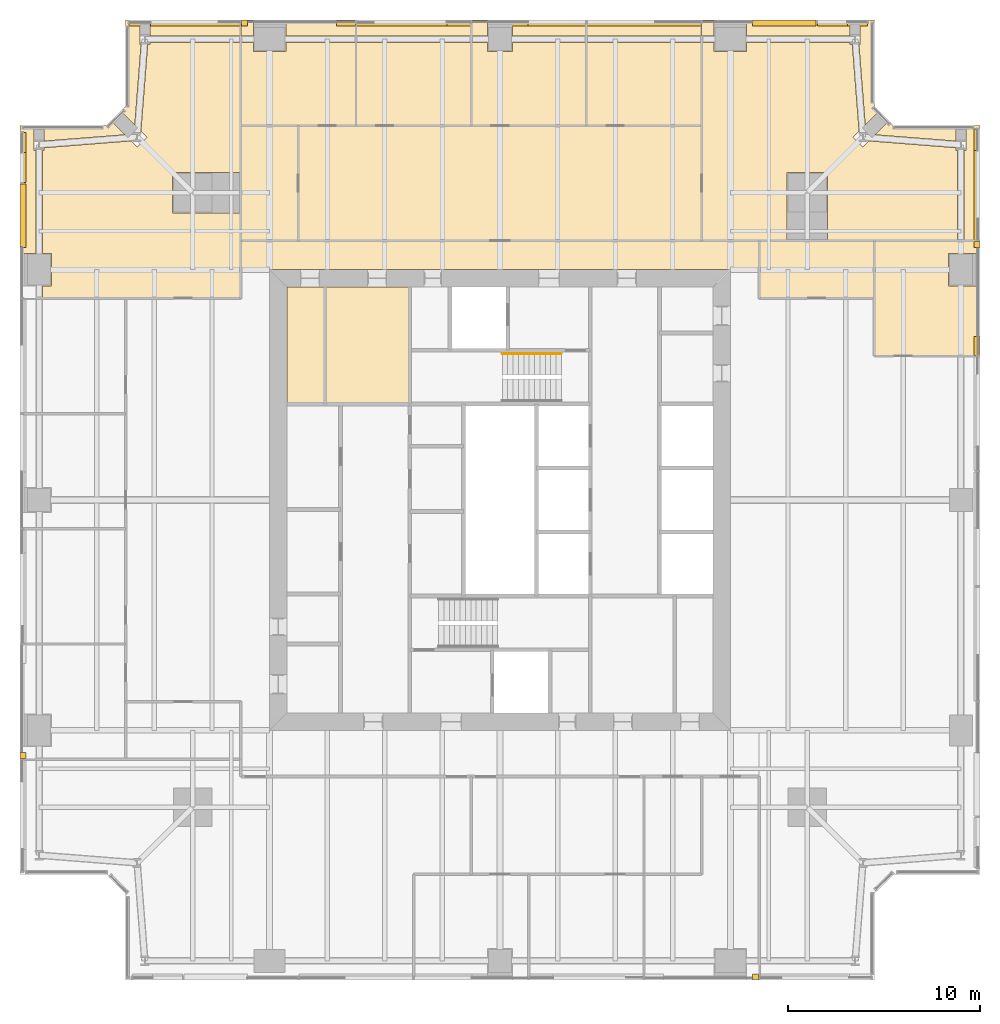
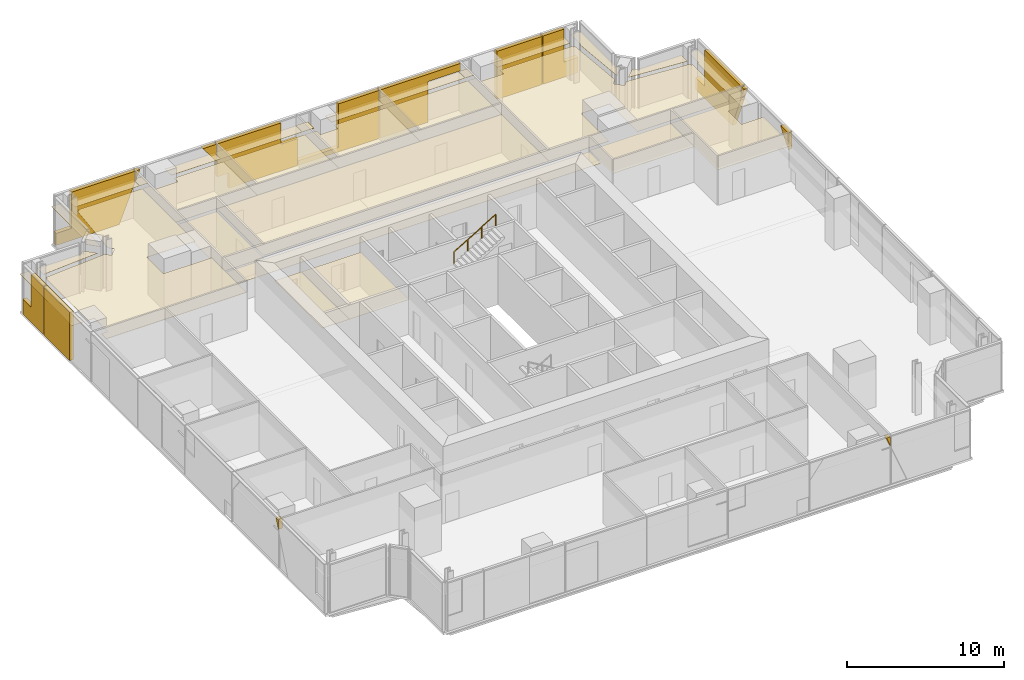
# One storey, part 14 of 14: 43 coverings, 1 railing.
"""IFC4 building model written with IfcOpenShell, lengths in metres."""

from ifc_helpers import new_model, si_unit, direction, frame, origin, origin_2d, place, context, subcontext, project, spatial, polyline, circle, outline, extrude, material, layer, layer_set, type_object, element, save


model = new_model("IFC4")

# Units and contexts
model_context = context("Model", 3, precision=1e-05, world=origin(), true_north=direction((0.0, 1.0)))
body_context = subcontext(model_context, "Body", "Model", "MODEL_VIEW")
ifc_project = project(units=[si_unit("LENGTHUNIT", "METRE"), si_unit("AREAUNIT", "SQUARE_METRE"), si_unit("VOLUMEUNIT", "CUBIC_METRE"), si_unit("PLANEANGLEUNIT", "RADIAN"), si_unit("MASSUNIT", "GRAM", prefix="KILO")], contexts=[model_context])

# Site, building, storey
site_placement = place(None, origin())
site = spatial("IfcSite", under=ifc_project, at=site_placement, CompositionType="ELEMENT")
building_placement = place(site_placement, origin())
building = spatial("IfcBuilding", under=site, at=building_placement, Name="Fenwick Lantern Interchange", CompositionType="ELEMENT")
storey_placement = place(building_placement, frame((0.0, 0.0, 189.800048828125)))
storey = spatial("IfcBuildingStorey", under=building, at=storey_placement, Name="L44", CompositionType="ELEMENT", Elevation=189.800048828125)

# Coverings
ifc_material_1 = material(Name="Mineral fibre acoustic tile on suspended grid")
ifc_layer_1 = layer(ifc_material_1, 0.02001953125)
ifc_layer_set_1 = layer_set([ifc_layer_1], Name="ACOUSTIC TILE CEILING 20")
covering_type_1 = type_object("IfcCoveringType", Name="ACOUSTIC TILE CEILING 20", PredefinedType="CEILING", material=ifc_layer_set_1)
covering_1_placement = place(storey_placement, frame((0.0, 0.0, 2.699951171875)))
element("IfcCovering", 1, at=covering_1_placement, inside=storey, type_object=covering_type_1, Name="Quiet room ceiling", PredefinedType="CEILING", context=body_context, shape_type="SweptSolid", body=[
    extrude(outline(polyline([(50.0, 32.5), (50.0, 36.14990234375), (48.35009765625, 36.14990234375), (48.35009765625, 37.85009765625), (50.0, 37.85009765625), (50.0, 38.5), (44.5, 38.5), (44.5, 32.5), (50.0, 32.5)])), origin(), (0.0, 0.0, 1.0), 0.02001953125),
])
covering_2_placement = place(storey_placement, frame((0.0, 0.0, 2.89990234375)))
element("IfcCovering", 2, at=covering_2_placement, inside=storey, type_object=covering_type_1, Name="Open office ceiling", PredefinedType="CEILING", context=body_context, shape_type="SweptSolid", body=[
    extrude(outline(polyline([(35.5, 38.5), (35.5, 44.5), (14.5, 44.5), (14.5, 38.5), (35.5, 38.5)])), origin(), (0.0, 0.0, 1.0), 0.02001953125),
])
covering_3_placement = place(storey_placement, frame((0.0, 0.0, 2.89990234375)))
element("IfcCovering", 3, at=covering_3_placement, inside=storey, type_object=covering_type_1, Name="Office ceiling", PredefinedType="CEILING", context=body_context, shape_type="SweptSolid", body=[
    extrude(outline(polyline([(42.050048828125, 38.5), (48.82763671875, 38.5), (48.82763671875, 43.21240234375), (48.73779296875, 43.21240234375), (48.73779296875, 43.34765625), (44.22216796875, 43.701904296875), (43.89990234375, 43.379638671875), (43.379638671875, 43.89990234375), (43.701904296875, 44.22216796875), (43.349609375, 48.71240234375), (43.23779296875, 48.71240234375), (43.23779296875, 48.82763671875), (37.85009765625, 48.82763671875), (37.85009765625, 48.35009765625), (36.14990234375, 48.35009765625), (36.14990234375, 48.82763671875), (35.5, 48.82763671875), (35.5, 38.5), (39.949951171875, 38.5), (39.949951171875, 42.050048828125), (42.050048828125, 42.050048828125), (42.050048828125, 38.5)])), origin(), (0.0, 0.0, 1.0), 0.02001953125),
])
covering_4_placement = place(storey_placement, frame((0.0, 0.0, 2.89990234375)))
element("IfcCovering", 4, at=covering_4_placement, inside=storey, type_object=covering_type_1, Name="Office ceiling", PredefinedType="CEILING", context=body_context, shape_type="SweptSolid", body=[
    extrude(outline(polyline([(49.26220703125, 44.5), (49.26220703125, 43.21240234375), (49.17236328125, 43.21240234375), (49.17236328125, 38.5), (50.0, 38.5), (50.0, 44.5), (49.26220703125, 44.5)])), origin(), (0.0, 0.0, 1.0), 0.02001953125),
])
covering_5_placement = place(storey_placement, frame((0.0, 0.0, 2.89990234375)))
element("IfcCovering", 5, at=covering_5_placement, inside=storey, type_object=covering_type_1, Name="Office ceiling", PredefinedType="CEILING", context=body_context, shape_type="SweptSolid", body=[
    extrude(outline(polyline([(37.85009765625, 50.0), (37.85009765625, 49.17236328125), (43.23779296875, 49.17236328125), (43.23779296875, 50.0), (37.85009765625, 50.0)])), origin(), (0.0, 0.0, 1.0), 0.02001953125),
])
covering_6_placement = place(storey_placement, frame((0.0, 0.0, 2.89990234375)))
element("IfcCovering", 6, at=covering_6_placement, inside=storey, type_object=covering_type_1, Name="Office ceiling", PredefinedType="CEILING", context=body_context, shape_type="SweptSolid", body=[
    extrude(outline(polyline([(43.76220703125, 48.71240234375), (43.695556640625, 48.71240234375), (44.0224609375, 44.542724609375), (44.73974609375, 45.26025390625), (44.5, 45.5), (44.5, 50.0), (43.76220703125, 50.0), (43.76220703125, 48.71240234375)])), origin(), (0.0, 0.0, 1.0), 0.02001953125),
])
covering_7_placement = place(storey_placement, frame((0.0, 0.0, 2.89990234375)))
element("IfcCovering", 7, at=covering_7_placement, inside=storey, type_object=covering_type_1, Name="Office ceiling", PredefinedType="CEILING", context=body_context, shape_type="SweptSolid", body=[
    extrude(outline(polyline([(45.26025390625, 44.73974609375), (44.542724609375, 44.0224609375), (48.73779296875, 43.693603515625), (48.73779296875, 44.5), (45.5, 44.5), (45.26025390625, 44.73974609375)])), origin(), (0.0, 0.0, 1.0), 0.02001953125),
])
covering_8_placement = place(storey_placement, frame((0.0, 0.0, 2.89990234375)))
element("IfcCovering", 8, at=covering_8_placement, inside=storey, type_object=covering_type_1, Name="Office ceiling", PredefinedType="CEILING", context=body_context, shape_type="SweptSolid", body=[
    extrude(outline(polyline([(35.5, 50.0), (35.5, 49.17236328125), (36.14990234375, 49.17236328125), (36.14990234375, 50.0), (35.5, 50.0)])), origin(), (0.0, 0.0, 1.0), 0.02001953125),
])
covering_9_placement = place(storey_placement, frame((0.0, 0.0, 2.89990234375)))
element("IfcCovering", 9, at=covering_9_placement, inside=storey, type_object=covering_type_1, Name="Office ceiling", PredefinedType="CEILING", context=body_context, shape_type="SweptSolid", body=[
    extrude(outline(polyline([(35.5, 44.5), (35.5, 48.82763671875), (29.5, 48.82763671875), (29.5, 44.5), (35.5, 44.5)])), origin(), (0.0, 0.0, 1.0), 0.02001953125),
])
covering_10_placement = place(storey_placement, frame((0.0, 0.0, 2.89990234375)))
element("IfcCovering", 10, at=covering_10_placement, inside=storey, type_object=covering_type_1, Name="Office ceiling", PredefinedType="CEILING", context=body_context, shape_type="SweptSolid", body=[
    extrude(outline(polyline([(29.5, 50.0), (29.5, 49.17236328125), (35.5, 49.17236328125), (35.5, 50.0), (29.5, 50.0)])), origin(), (0.0, 0.0, 1.0), 0.02001953125),
])
covering_11_placement = place(storey_placement, frame((0.0, 0.0, 2.89990234375)))
element("IfcCovering", 11, at=covering_11_placement, inside=storey, type_object=covering_type_1, Name="Office ceiling", PredefinedType="CEILING", context=body_context, shape_type="SweptSolid", body=[
    extrude(outline(polyline([(29.5, 44.5), (29.5, 48.82763671875), (25.64990234375, 48.82763671875), (25.64990234375, 48.35009765625), (24.35009765625, 48.35009765625), (24.35009765625, 48.82763671875), (23.5, 48.82763671875), (23.5, 44.5), (29.5, 44.5)])), origin(), (0.0, 0.0, 1.0), 0.02001953125),
])
covering_12_placement = place(storey_placement, frame((0.0, 0.0, 2.89990234375)))
element("IfcCovering", 12, at=covering_12_placement, inside=storey, type_object=covering_type_1, Name="Office ceiling", PredefinedType="CEILING", context=body_context, shape_type="SweptSolid", body=[
    extrude(outline(polyline([(29.5, 49.17236328125), (29.5, 50.0), (25.64990234375, 50.0), (25.64990234375, 49.17236328125), (29.5, 49.17236328125)])), origin(), (0.0, 0.0, 1.0), 0.02001953125),
])
covering_13_placement = place(storey_placement, frame((0.0, 0.0, 2.89990234375)))
element("IfcCovering", 13, at=covering_13_placement, inside=storey, type_object=covering_type_1, Name="Office ceiling", PredefinedType="CEILING", context=body_context, shape_type="SweptSolid", body=[
    extrude(outline(polyline([(23.5, 50.0), (23.5, 49.17236328125), (24.35009765625, 49.17236328125), (24.35009765625, 50.0), (23.5, 50.0)])), origin(), (0.0, 0.0, 1.0), 0.02001953125),
])
covering_14_placement = place(storey_placement, frame((0.0, 0.0, 2.89990234375)))
element("IfcCovering", 14, at=covering_14_placement, inside=storey, type_object=covering_type_1, Name="Office ceiling", PredefinedType="CEILING", context=body_context, shape_type="SweptSolid", body=[
    extrude(outline(polyline([(23.5, 44.5), (23.5, 48.82763671875), (17.5, 48.82763671875), (17.5, 44.5), (23.5, 44.5)])), origin(), (0.0, 0.0, 1.0), 0.02001953125),
])
covering_15_placement = place(storey_placement, frame((0.0, 0.0, 2.89990234375)))
element("IfcCovering", 15, at=covering_15_placement, inside=storey, type_object=covering_type_1, Name="Office ceiling", PredefinedType="CEILING", context=body_context, shape_type="SweptSolid", body=[
    extrude(outline(polyline([(17.5, 50.0), (17.5, 49.17236328125), (23.5, 49.17236328125), (23.5, 50.0), (17.5, 50.0)])), origin(), (0.0, 0.0, 1.0), 0.02001953125),
])
covering_16_placement = place(storey_placement, frame((0.0, 0.0, 2.89990234375)))
element("IfcCovering", 16, at=covering_16_placement, inside=storey, type_object=covering_type_1, Name="Office ceiling", PredefinedType="CEILING", context=body_context, shape_type="SweptSolid", body=[
    extrude(outline(polyline([(17.5, 44.5), (17.5, 48.82763671875), (13.85009765625, 48.82763671875), (13.85009765625, 48.35009765625), (12.14990234375, 48.35009765625), (12.14990234375, 48.82763671875), (11.5, 48.82763671875), (11.5, 44.5), (17.5, 44.5)])), origin(), (0.0, 0.0, 1.0), 0.02001953125),
])
covering_17_placement = place(storey_placement, frame((0.0, 0.0, 2.89990234375)))
element("IfcCovering", 17, at=covering_17_placement, inside=storey, type_object=covering_type_1, Name="Office ceiling", PredefinedType="CEILING", context=body_context, shape_type="SweptSolid", body=[
    extrude(outline(polyline([(17.5, 49.17236328125), (17.5, 50.0), (13.85009765625, 50.0), (13.85009765625, 49.17236328125), (17.5, 49.17236328125)])), origin(), (0.0, 0.0, 1.0), 0.02001953125),
])
covering_18_placement = place(storey_placement, frame((0.0, 0.0, 2.89990234375)))
element("IfcCovering", 18, at=covering_18_placement, inside=storey, type_object=covering_type_1, Name="Office ceiling", PredefinedType="CEILING", context=body_context, shape_type="SweptSolid", body=[
    extrude(outline(polyline([(11.5, 50.0), (11.5, 49.17236328125), (12.14990234375, 49.17236328125), (12.14990234375, 50.0), (11.5, 50.0)])), origin(), (0.0, 0.0, 1.0), 0.02001953125),
])
covering_19_placement = place(storey_placement, frame((0.0, 0.0, 2.89990234375)))
element("IfcCovering", 19, at=covering_19_placement, inside=storey, type_object=covering_type_1, Name="Office ceiling", PredefinedType="CEILING", context=body_context, shape_type="SweptSolid", body=[
    extrude(outline(polyline([(6.76220703125, 48.71240234375), (6.650390625, 48.71240234375), (6.298095703125, 44.22216796875), (6.620361328125, 43.89990234375), (6.10009765625, 43.379638671875), (5.77783203125, 43.701904296875), (1.26220703125, 43.34765625), (1.26220703125, 43.21240234375), (1.17236328125, 43.21240234375), (1.17236328125, 37.85009765625), (1.64990234375, 37.85009765625), (1.64990234375, 36.14990234375), (1.17236328125, 36.14990234375), (1.17236328125, 35.5), (11.5, 35.5), (11.5, 39.949951171875), (7.949951171875, 39.949951171875), (7.949951171875, 42.050048828125), (11.5, 42.050048828125), (11.5, 48.82763671875), (6.76220703125, 48.82763671875), (6.76220703125, 48.71240234375)])), origin(), (0.0, 0.0, 1.0), 0.02001953125),
])
covering_20_placement = place(storey_placement, frame((0.0, 0.0, 2.89990234375)))
element("IfcCovering", 20, at=covering_20_placement, inside=storey, type_object=covering_type_1, Name="Office ceiling", PredefinedType="CEILING", context=body_context, shape_type="SweptSolid", body=[
    extrude(outline(polyline([(0.0, 37.85009765625), (0.82763671875, 37.85009765625), (0.82763671875, 43.21240234375), (0.73779296875, 43.21240234375), (0.73779296875, 44.5), (0.0, 44.5), (0.0, 37.85009765625)])), origin(), (0.0, 0.0, 1.0), 0.02001953125),
])
covering_21_placement = place(storey_placement, frame((0.0, 0.0, 2.89990234375)))
element("IfcCovering", 21, at=covering_21_placement, inside=storey, type_object=covering_type_1, Name="Office ceiling", PredefinedType="CEILING", context=body_context, shape_type="SweptSolid", body=[
    extrude(outline(polyline([(6.76220703125, 50.0), (6.76220703125, 49.17236328125), (11.5, 49.17236328125), (11.5, 50.0), (6.76220703125, 50.0)])), origin(), (0.0, 0.0, 1.0), 0.02001953125),
])
covering_22_placement = place(storey_placement, frame((0.0, 0.0, 2.89990234375)))
element("IfcCovering", 22, at=covering_22_placement, inside=storey, type_object=covering_type_1, Name="Office ceiling", PredefinedType="CEILING", context=body_context, shape_type="SweptSolid", body=[
    extrude(outline(polyline([(6.304443359375, 48.71240234375), (6.23779296875, 48.71240234375), (6.23779296875, 50.0), (5.5, 50.0), (5.5, 45.5), (5.26025390625, 45.26025390625), (5.9775390625, 44.542724609375), (6.304443359375, 48.71240234375)])), origin(), (0.0, 0.0, 1.0), 0.02001953125),
])
covering_23_placement = place(storey_placement, frame((0.0, 0.0, 2.89990234375)))
element("IfcCovering", 23, at=covering_23_placement, inside=storey, type_object=covering_type_1, Name="Office ceiling", PredefinedType="CEILING", context=body_context, shape_type="SweptSolid", body=[
    extrude(outline(polyline([(1.26220703125, 44.5), (1.26220703125, 43.693603515625), (5.457275390625, 44.0224609375), (4.73974609375, 44.73974609375), (4.5, 44.5), (1.26220703125, 44.5)])), origin(), (0.0, 0.0, 1.0), 0.02001953125),
])
ifc_material_2 = material(Name="Granite cladding, warm grey flamed finish, on aluminium carrier frame", Category="masonry")
ifc_layer_2 = layer(ifc_material_2, 0.300048828125)
ifc_layer_set_2 = layer_set([ifc_layer_2], Name="BRACE CASING PANEL 300")
covering_type_2 = type_object("IfcCoveringType", Name="BRACE CASING PANEL 300", PredefinedType="CLADDING", material=ifc_layer_set_2)
covering_24_placement = place(storey_placement, frame((5.60009765625, 0.10009765625, 2.999267578125), z_axis=(0.0, 0.0, 1.0), x_axis=(1.0, 0.0, 0.0)))
element("IfcCovering", 24, at=covering_24_placement, inside=storey, type_object=covering_type_2, Name="Brace casing 01 bay 05b", PredefinedType="CLADDING", context=body_context, shape_type="SweptSolid", body=[
    extrude(outline(polyline([(32.867431640625, 0.0), (32.867431640625, 0.750732421875), (32.5625, 0.750732421875), (32.867431640625, 0.0)])), frame((0.0, 0.2001953125, 0.0), z_axis=(0.0, -1.0, 0.0), x_axis=(1.0, 0.0, 0.0)), (0.0, 0.0, 1.0), 0.300048828125),
])
covering_25_placement = place(storey_placement, frame((49.89990234375, 5.60009765625, 2.437255859375), z_axis=(0.0, 0.0, 1.0), x_axis=(0.0, 1.0, 0.0)))
element("IfcCovering", 25, at=covering_25_placement, inside=storey, type_object=covering_type_2, Name="Brace casing 05 bay 05a", PredefinedType="CLADDING", context=body_context, shape_type="SweptSolid", body=[
    extrude(outline(polyline([(26.9326171875, 0.0), (27.9169921875, 1.312744140625), (26.9326171875, 1.312744140625), (26.9326171875, 0.0)])), frame((0.0, 0.2001953125, 0.0), z_axis=(0.0, -1.0, 0.0), x_axis=(1.0, 0.0, 0.0)), (0.0, 0.0, 1.0), 0.300048828125),
])
covering_26_placement = place(storey_placement, frame((49.89990234375, 5.60009765625, 2.999267578125), z_axis=(0.0, 0.0, 1.0), x_axis=(0.0, 1.0, 0.0)))
element("IfcCovering", 26, at=covering_26_placement, inside=storey, type_object=covering_type_2, Name="Brace casing 05 bay 05b", PredefinedType="CLADDING", context=body_context, shape_type="SweptSolid", body=[
    extrude(outline(polyline([(32.867431640625, 0.0), (32.867431640625, 0.750732421875), (32.5625, 0.750732421875), (32.867431640625, 0.0)])), frame((0.0, 0.2001953125, 0.0), z_axis=(0.0, -1.0, 0.0), x_axis=(1.0, 0.0, 0.0)), (0.0, 0.0, 1.0), 0.300048828125),
])
covering_27_placement = place(storey_placement, frame((49.89990234375, 5.60009765625, 0.0), z_axis=(0.0, 0.0, 1.0), x_axis=(0.0, 1.0, 0.0)))
element("IfcCovering", 27, at=covering_27_placement, inside=storey, type_object=covering_type_2, Name="Brace casing 05 bay 06a", PredefinedType="CLADDING", context=body_context, shape_type="SweptSolid", body=[
    extrude(outline(polyline([(34.0859375, 0.0), (38.735107421875, 0.0), (38.735107421875, 0.931396484375), (37.59326171875, 0.931396484375), (37.59326171875, 3.75), (32.9326171875, 3.75), (32.9326171875, 2.839111328125), (34.0859375, 0.0)])), frame((0.0, 0.2001953125, 0.0), z_axis=(0.0, -1.0, 0.0), x_axis=(1.0, 0.0, 0.0)), (0.0, 0.0, 1.0), 0.300048828125),
])
covering_28_placement = place(storey_placement, frame((44.39990234375, 49.89990234375, 0.0), z_axis=(0.0, 0.0, 1.0), x_axis=(-1.0, 0.0, 0.0)))
element("IfcCovering", 28, at=covering_28_placement, inside=storey, type_object=covering_type_2, Name="Brace casing 09 bay 00a", PredefinedType="CLADDING", context=body_context, shape_type="SweptSolid", body=[
    extrude(outline(polyline([(0.264892578125, 0.0), (2.867431640625, 0.0), (2.867431640625, 3.75), (1.31005859375, 3.75), (1.31005859375, 1.185546875), (0.264892578125, 1.185546875), (0.264892578125, 0.0)])), frame((0.0, 0.2001953125, 0.0), z_axis=(0.0, -1.0, 0.0), x_axis=(1.0, 0.0, 0.0)), (0.0, 0.0, 1.0), 0.300048828125),
])
covering_29_placement = place(storey_placement, frame((44.39990234375, 49.89990234375, 0.0), z_axis=(0.0, 0.0, 1.0), x_axis=(-1.0, 0.0, 0.0)))
element("IfcCovering", 29, at=covering_29_placement, inside=storey, type_object=covering_type_2, Name="Brace casing 09 bay 01a", PredefinedType="CLADDING", context=body_context, shape_type="SweptSolid", body=[
    extrude(outline(polyline([(2.9326171875, 0.0), (6.239013671875, 0.0), (6.239013671875, 3.75), (2.9326171875, 3.75), (2.9326171875, 0.0)])), frame((0.0, 0.2001953125, 0.0), z_axis=(0.0, -1.0, 0.0), x_axis=(1.0, 0.0, 0.0)), (0.0, 0.0, 1.0), 0.300048828125),
])
covering_30_placement = place(storey_placement, frame((44.39990234375, 49.89990234375, 0.0), z_axis=(0.0, 0.0, 1.0), x_axis=(-1.0, 0.0, 0.0)))
element("IfcCovering", 30, at=covering_30_placement, inside=storey, type_object=covering_type_2, Name="Brace casing 09 bay 02a", PredefinedType="CLADDING", context=body_context, shape_type="SweptSolid", body=[
    extrude(outline(polyline([(11.3125, 0.0), (14.867431640625, 0.0), (14.867431640625, 3.75), (8.9326171875, 3.75), (8.9326171875, 3.17724609375), (11.3125, 3.17724609375), (11.3125, 0.0)])), frame((0.0, 0.2001953125, 0.0), z_axis=(0.0, -1.0, 0.0), x_axis=(1.0, 0.0, 0.0)), (0.0, 0.0, 1.0), 0.300048828125),
])
covering_31_placement = place(storey_placement, frame((44.39990234375, 49.89990234375, 0.0), z_axis=(0.0, 0.0, 1.0), x_axis=(-1.0, 0.0, 0.0)))
element("IfcCovering", 31, at=covering_31_placement, inside=storey, type_object=covering_type_2, Name="Brace casing 09 bay 03a", PredefinedType="CLADDING", context=body_context, shape_type="SweptSolid", body=[
    extrude(outline(polyline([(14.9326171875, 0.0), (20.867431640625, 0.0), (20.867431640625, 0.3505859375), (17.93310546875, 0.3505859375), (17.93310546875, 3.75), (14.9326171875, 3.75), (14.9326171875, 0.0)])), frame((0.0, 0.2001953125, 0.0), z_axis=(0.0, -1.0, 0.0), x_axis=(1.0, 0.0, 0.0)), (0.0, 0.0, 1.0), 0.300048828125),
])
covering_32_placement = place(storey_placement, frame((44.39990234375, 49.89990234375, 0.0), z_axis=(0.0, 0.0, 1.0), x_axis=(-1.0, 0.0, 0.0)))
element("IfcCovering", 32, at=covering_32_placement, inside=storey, type_object=covering_type_2, Name="Brace casing 09 bay 04a", PredefinedType="CLADDING", context=body_context, shape_type="SweptSolid", body=[
    extrude(outline(polyline([(20.9326171875, 0.0), (25.984375, 0.0), (25.984375, 1.17333984375), (26.867431640625, 1.17333984375), (26.867431640625, 3.75), (22.172607421875, 3.75), (22.172607421875, 2.090576171875), (20.9326171875, 2.090576171875), (20.9326171875, 0.0)])), frame((0.0, 0.2001953125, 0.0), z_axis=(0.0, -1.0, 0.0), x_axis=(1.0, 0.0, 0.0)), (0.0, 0.0, 1.0), 0.300048828125),
])
covering_33_placement = place(storey_placement, frame((44.39990234375, 49.89990234375, 2.437255859375), z_axis=(0.0, 0.0, 1.0), x_axis=(-1.0, 0.0, 0.0)))
element("IfcCovering", 33, at=covering_33_placement, inside=storey, type_object=covering_type_2, Name="Brace casing 09 bay 05a", PredefinedType="CLADDING", context=body_context, shape_type="SweptSolid", body=[
    extrude(outline(polyline([(26.9326171875, 0.0), (27.9169921875, 1.312744140625), (26.9326171875, 1.312744140625), (26.9326171875, 0.0)])), frame((0.0, 0.2001953125, 0.0), z_axis=(0.0, -1.0, 0.0), x_axis=(1.0, 0.0, 0.0)), (0.0, 0.0, 1.0), 0.300048828125),
])
covering_34_placement = place(storey_placement, frame((44.39990234375, 49.89990234375, 2.999267578125), z_axis=(0.0, 0.0, 1.0), x_axis=(-1.0, 0.0, 0.0)))
element("IfcCovering", 34, at=covering_34_placement, inside=storey, type_object=covering_type_2, Name="Brace casing 09 bay 05b", PredefinedType="CLADDING", context=body_context, shape_type="SweptSolid", body=[
    extrude(outline(polyline([(32.867431640625, 0.0), (32.867431640625, 0.750732421875), (32.5625, 0.750732421875), (32.867431640625, 0.0)])), frame((0.0, 0.2001953125, 0.0), z_axis=(0.0, -1.0, 0.0), x_axis=(1.0, 0.0, 0.0)), (0.0, 0.0, 1.0), 0.300048828125),
])
covering_35_placement = place(storey_placement, frame((44.39990234375, 49.89990234375, 0.0), z_axis=(0.0, 0.0, 1.0), x_axis=(-1.0, 0.0, 0.0)))
element("IfcCovering", 35, at=covering_35_placement, inside=storey, type_object=covering_type_2, Name="Brace casing 09 bay 06a", PredefinedType="CLADDING", context=body_context, shape_type="SweptSolid", body=[
    extrude(outline(polyline([(34.0859375, 0.0), (38.735107421875, 0.0), (38.735107421875, 0.931396484375), (37.59326171875, 0.931396484375), (37.59326171875, 3.75), (32.9326171875, 3.75), (32.9326171875, 2.839111328125), (34.0859375, 0.0)])), frame((0.0, 0.2001953125, 0.0), z_axis=(0.0, -1.0, 0.0), x_axis=(1.0, 0.0, 0.0)), (0.0, 0.0, 1.0), 0.300048828125),
])
covering_36_placement = place(storey_placement, frame((0.10009765625, 44.39990234375, 0.0), z_axis=(0.0, 0.0, 1.0), x_axis=(0.0, -1.0, 0.0)))
element("IfcCovering", 36, at=covering_36_placement, inside=storey, type_object=covering_type_2, Name="Brace casing 13 bay 00a", PredefinedType="CLADDING", context=body_context, shape_type="SweptSolid", body=[
    extrude(outline(polyline([(0.264892578125, 0.0), (2.867431640625, 0.0), (2.867431640625, 3.75), (1.31005859375, 3.75), (1.31005859375, 1.185546875), (0.264892578125, 1.185546875), (0.264892578125, 0.0)])), frame((0.0, 0.2001953125, 0.0), z_axis=(0.0, -1.0, 0.0), x_axis=(1.0, 0.0, 0.0)), (0.0, 0.0, 1.0), 0.300048828125),
])
covering_37_placement = place(storey_placement, frame((0.10009765625, 44.39990234375, 0.0), z_axis=(0.0, 0.0, 1.0), x_axis=(0.0, -1.0, 0.0)))
element("IfcCovering", 37, at=covering_37_placement, inside=storey, type_object=covering_type_2, Name="Brace casing 13 bay 01a", PredefinedType="CLADDING", context=body_context, shape_type="SweptSolid", body=[
    extrude(outline(polyline([(2.9326171875, 0.0), (6.239013671875, 0.0), (6.239013671875, 3.75), (2.9326171875, 3.75), (2.9326171875, 0.0)])), frame((0.0, 0.2001953125, 0.0), z_axis=(0.0, -1.0, 0.0), x_axis=(1.0, 0.0, 0.0)), (0.0, 0.0, 1.0), 0.300048828125),
])
covering_38_placement = place(storey_placement, frame((0.10009765625, 44.39990234375, 2.999267578125), z_axis=(0.0, 0.0, 1.0), x_axis=(0.0, -1.0, 0.0)))
element("IfcCovering", 38, at=covering_38_placement, inside=storey, type_object=covering_type_2, Name="Brace casing 13 bay 05b", PredefinedType="CLADDING", context=body_context, shape_type="SweptSolid", body=[
    extrude(outline(polyline([(32.867431640625, 0.0), (32.867431640625, 0.750732421875), (32.5625, 0.750732421875), (32.867431640625, 0.0)])), frame((0.0, 0.2001953125, 0.0), z_axis=(0.0, -1.0, 0.0), x_axis=(1.0, 0.0, 0.0)), (0.0, 0.0, 1.0), 0.300048828125),
])

# Railing
ifc_material_3 = material(Name="Stainless steel handrail", Category="steel")
railing_type = type_object("IfcRailingType", Name="HANDRAIL 900", PredefinedType="HANDRAIL", material=ifc_material_3)
railing_placement = place(storey_placement, frame((25.1201171875, 32.6259765625, 2.16650390625)))
element("IfcRailing", 39, at=railing_placement, inside=storey, type_object=railing_type, Name="L44/STAIR/ST2/HR2", PredefinedType="HANDRAIL", context=body_context, shape_type="SweptSolid", body=[
    extrude(circle(Radius=0.02392578125, at=origin_2d()), frame((0.0, 0.0, 0.8759765625), z_axis=(0.859260807169, 0.0, 0.511537745687), x_axis=(0.0, 1.0, 0.0)), (0.0, 0.0, 1.0), 3.584228515625),
    extrude(circle(Radius=0.02099609375, at=origin_2d()), origin(), (0.0, 0.0, 1.0), 0.851806640625),
    extrude(circle(Radius=0.02099609375, at=origin_2d()), frame((1.026611328125, 0.0, 0.611083984375)), (0.0, 0.0, 1.0), 0.851806640625),
    extrude(circle(Radius=0.02099609375, at=origin_2d()), frame((2.05322265625, 0.0, 1.222412109375)), (0.0, 0.0, 1.0), 0.851806640625),
    extrude(circle(Radius=0.02099609375, at=origin_2d()), frame((3.079833984375, 0.0, 1.83349609375)), (0.0, 0.0, 1.0), 0.851806640625),
])

# Coverings
ifc_material_4 = material(Name="Moisture resistant gypsum board on suspended frame, painted")
ifc_layer_3 = layer(ifc_material_4, 0.014892578125)
ifc_layer_set_3 = layer_set([ifc_layer_3], Name="MOISTURE RESISTANT CEILING 15")
covering_type_3 = type_object("IfcCoveringType", Name="MOISTURE RESISTANT CEILING 15", PredefinedType="CEILING", material=ifc_layer_set_3)
covering_39_placement = place(storey_placement, frame((0.0, 0.0, 2.599853515625)))
element("IfcCovering", 40, at=covering_39_placement, inside=storey, type_object=covering_type_3, Name="Women's WC ceiling", PredefinedType="CEILING", context=body_context, shape_type="SweptSolid", body=[
    extrude(outline(polyline([(20.300048828125, 36.10009765625), (15.89990234375, 36.10009765625), (15.89990234375, 30.0), (20.300048828125, 30.0), (20.300048828125, 36.10009765625)])), origin(), (0.0, 0.0, 1.0), 0.01513671875),
])
covering_40_placement = place(storey_placement, frame((0.0, 0.0, 2.599853515625)))
element("IfcCovering", 41, at=covering_40_placement, inside=storey, type_object=covering_type_3, Name="Men's WC ceiling", PredefinedType="CEILING", context=body_context, shape_type="SweptSolid", body=[
    extrude(outline(polyline([(15.89990234375, 36.10009765625), (13.89990234375, 36.10009765625), (13.89990234375, 30.0), (15.89990234375, 30.0), (15.89990234375, 36.10009765625)])), origin(), (0.0, 0.0, 1.0), 0.01513671875),
])
covering_41_placement = place(storey_placement, frame((0.0, 0.0, 2.699951171875)))
element("IfcCovering", 42, at=covering_41_placement, inside=storey, type_object=covering_type_3, Name="Pantry ceiling", PredefinedType="CEILING", context=body_context, shape_type="SweptSolid", body=[
    extrude(outline(polyline([(44.5, 35.5), (44.5, 38.5), (38.5, 38.5), (38.5, 35.5), (44.5, 35.5)])), origin(), (0.0, 0.0, 1.0), 0.014892578125),
])
covering_42_placement = place(storey_placement, frame((0.0, 0.0, 2.699951171875)))
element("IfcCovering", 43, at=covering_42_placement, inside=storey, type_object=covering_type_3, Name="Pantry ceiling", PredefinedType="CEILING", context=body_context, shape_type="SweptSolid", body=[
    extrude(outline(polyline([(14.5, 44.5), (11.5, 44.5), (11.5, 38.5), (14.5, 38.5), (14.5, 44.5)])), origin(), (0.0, 0.0, 1.0), 0.014892578125),
])
ifc_material_5 = material(Name="Gypsum plasterboard on suspended frame, painted")
ifc_layer_4 = layer(ifc_material_5, 0.014892578125)
ifc_layer_set_4 = layer_set([ifc_layer_4], Name="PLASTERBOARD CEILING 15")
covering_type_4 = type_object("IfcCoveringType", Name="PLASTERBOARD CEILING 15", PredefinedType="CEILING", material=ifc_layer_set_4)
covering_43_placement = place(storey_placement, frame((0.0, 0.0, 2.599853515625)))
element("IfcCovering", 44, at=covering_43_placement, inside=storey, type_object=covering_type_4, Name="Corridor ceiling", PredefinedType="CEILING", context=body_context, shape_type="SweptSolid", body=[
    extrude(outline(polyline([(11.5, 38.5), (11.5, 37.0), (38.5, 37.0), (38.5, 38.5), (11.5, 38.5)])), origin(), (0.0, 0.0, 1.0), 0.01513671875),
])

save(model, "model.ifc")
